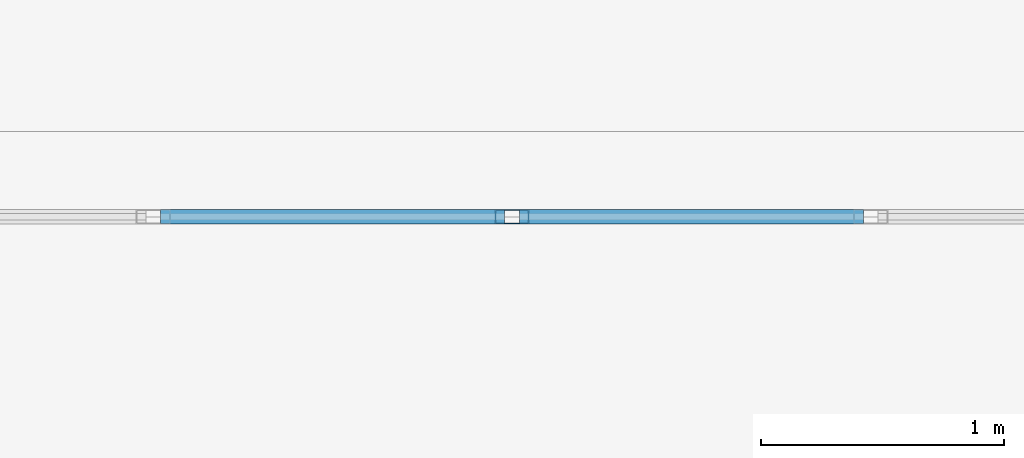
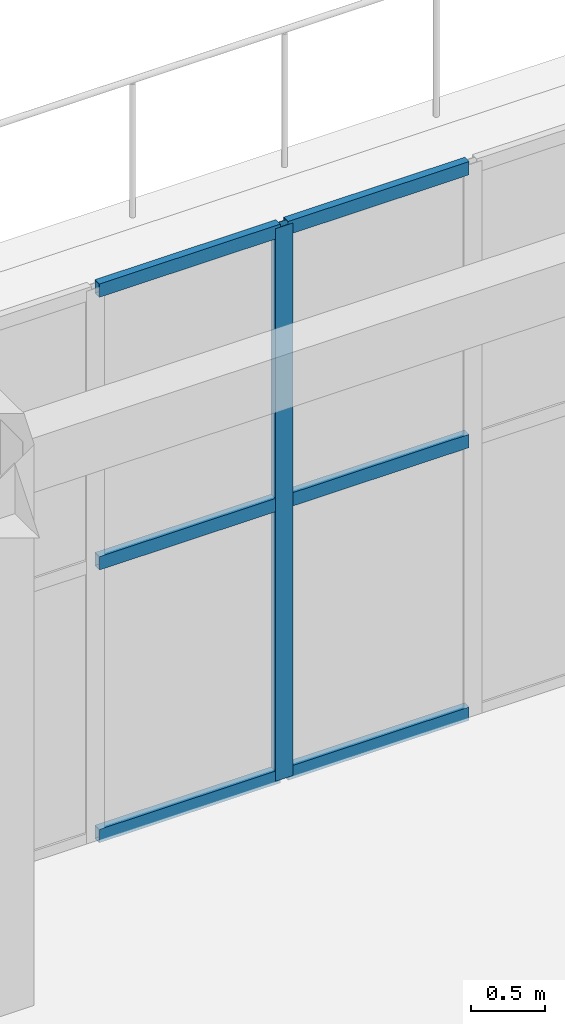
# One storey, part 83 of 158: 7 members, 1 element without a shape of its own.
"""IFC4 building model written with IfcOpenShell, lengths in metres."""

from ifc_helpers import new_model, si_unit, direction, frame, origin, origin_2d, place, context, subcontext, project, spatial, hollow_rectangle, extrude, material, layer, layer_set, material_profile, profile_set, type_object, element, aggregate, save


model = new_model("IFC4")

# Units and contexts
model_context = context("Model", 3, precision=1e-05, world=origin(), true_north=direction((0.0, 1.0)))
body_context = subcontext(model_context, "Body", "Model", "MODEL_VIEW")
ifc_project = project(units=[si_unit("LENGTHUNIT", "METRE"), si_unit("AREAUNIT", "SQUARE_METRE"), si_unit("VOLUMEUNIT", "CUBIC_METRE"), si_unit("PLANEANGLEUNIT", "RADIAN"), si_unit("MASSUNIT", "GRAM", prefix="KILO")], contexts=[model_context])

# Site, building, storey
site_placement = place(None, origin())
site = spatial("IfcSite", under=ifc_project, at=site_placement, CompositionType="ELEMENT")
building_placement = place(site_placement, origin())
building = spatial("IfcBuilding", under=site, at=building_placement, Name="Trelvath General Hospital", CompositionType="ELEMENT")
storey_placement = place(building_placement, frame((0.0, 0.0, 8.10009765625)))
storey = spatial("IfcBuildingStorey", under=building, at=storey_placement, Name="L02", CompositionType="ELEMENT", Elevation=8.10009765625)

# Curtain wall, members
ifc_material_1 = material(Name="Anodised aluminium and low-E glass", Category="aluminium")
ifc_layer = layer(ifc_material_1, 0.139892578125)
ifc_layer_set = layer_set([ifc_layer], Name="Anodised aluminium and low-E glass")
curtain_wall_type = type_object("IfcCurtainWallType", Name="CW CrystalCube 737 456 14", PredefinedType="USERDEFINED", material=ifc_layer_set)
curtain_wall_placement = place(storey_placement, origin())
curtain_wall = element("IfcCurtainWall", 1, at=curtain_wall_placement, inside=storey, type_object=curtain_wall_type, Name="Crystal Cube Curtain Wall CUBE-E-T1 N3 L02", ObjectType="Unitised Glazed Curtain Wall", PredefinedType="USERDEFINED")
ifc_material_2 = material(Name="Anodised aluminium", Category="aluminium")
ifc_material_profile_1 = material_profile(ifc_material_2, hollow_rectangle(XDim=0.06005859375, YDim=0.139892578125, WallThickness=0.00390625, at=origin_2d()), Name="RHS60x140x4")
ifc_profile_set_1 = profile_set([ifc_material_profile_1], Name="Anodised aluminium")
member_type_1 = type_object("IfcMemberType", Name="CurtainMullion 60x140", PredefinedType="MULLION", material=ifc_profile_set_1)
member_1_placement = place(storey_placement, frame((110.300048828125, 80.39990234375, 0.0), z_axis=(0.0, 0.0, 1.0), x_axis=(0.0, 1.0, 0.0)))
member_1 = element("IfcMember", 2, at=member_1_placement, type_object=member_type_1, Name="CW-210 mullion 3", PredefinedType="MULLION", context=body_context, shape_type="SweptSolid", body=[
    extrude(hollow_rectangle(XDim=0.06005859375, YDim=0.139892578125, WallThickness=0.00390625, at=origin_2d()), origin(), (0.0, 0.0, 1.0), 4.559814453125),
])
ifc_material_3 = material(Name="Anodised aluminium", Category="aluminium")
ifc_material_profile_2 = material_profile(ifc_material_3, hollow_rectangle(XDim=0.06005859375, YDim=0.110107421875, WallThickness=0.00390625, at=origin_2d()), Name="RHS60x110x4")
ifc_profile_set_2 = profile_set([ifc_material_profile_2], Name="Anodised aluminium")
member_type_2 = type_object("IfcMemberType", Name="CurtainTransom 60x110", PredefinedType="USERDEFINED", material=ifc_profile_set_2)
member_2_placement = place(storey_placement, frame((108.856689453125, 80.39990234375, 0.02978515625), z_axis=(1.0, 0.0, 0.0), x_axis=(0.0, 1.0, 0.0)))
member_2 = element("IfcMember", 3, at=member_2_placement, type_object=member_type_2, Name="CW-210 transom 2.1", ObjectType="TRANSOM", PredefinedType="USERDEFINED", context=body_context, shape_type="SweptSolid", body=[
    extrude(hollow_rectangle(XDim=0.06005859375, YDim=0.110107421875, WallThickness=0.00390625, at=origin_2d()), origin(), (0.0, 0.0, 1.0), 1.413330078125),
])
member_3_placement = place(storey_placement, frame((108.856689453125, 80.39990234375, 2.27978515625), z_axis=(1.0, 0.0, 0.0), x_axis=(0.0, 1.0, 0.0)))
member_3 = element("IfcMember", 4, at=member_3_placement, type_object=member_type_2, Name="CW-210 transom 2.2", ObjectType="TRANSOM", PredefinedType="USERDEFINED", context=body_context, shape_type="SweptSolid", body=[
    extrude(hollow_rectangle(XDim=0.06005859375, YDim=0.110107421875, WallThickness=0.00390625, at=origin_2d()), origin(), (0.0, 0.0, 1.0), 1.413330078125),
])
member_4_placement = place(storey_placement, frame((108.856689453125, 80.39990234375, 4.52978515625), z_axis=(1.0, 0.0, 0.0), x_axis=(0.0, 1.0, 0.0)))
member_4 = element("IfcMember", 5, at=member_4_placement, type_object=member_type_2, Name="CW-210 transom 2.3", ObjectType="TRANSOM", PredefinedType="USERDEFINED", context=body_context, shape_type="SweptSolid", body=[
    extrude(hollow_rectangle(XDim=0.06005859375, YDim=0.110107421875, WallThickness=0.00390625, at=origin_2d()), origin(), (0.0, 0.0, 1.0), 1.413330078125),
])
member_5_placement = place(storey_placement, frame((110.330078125, 80.39990234375, 0.02978515625), z_axis=(1.0, 0.0, 0.0), x_axis=(0.0, 1.0, 0.0)))
member_5 = element("IfcMember", 6, at=member_5_placement, type_object=member_type_2, Name="CW-210 transom 3.1", ObjectType="TRANSOM", PredefinedType="USERDEFINED", context=body_context, shape_type="SweptSolid", body=[
    extrude(hollow_rectangle(XDim=0.06005859375, YDim=0.110107421875, WallThickness=0.00390625, at=origin_2d()), origin(), (0.0, 0.0, 1.0), 1.413330078125),
])
member_6_placement = place(storey_placement, frame((110.330078125, 80.39990234375, 2.27978515625), z_axis=(1.0, 0.0, 0.0), x_axis=(0.0, 1.0, 0.0)))
member_6 = element("IfcMember", 7, at=member_6_placement, type_object=member_type_2, Name="CW-210 transom 3.2", ObjectType="TRANSOM", PredefinedType="USERDEFINED", context=body_context, shape_type="SweptSolid", body=[
    extrude(hollow_rectangle(XDim=0.06005859375, YDim=0.110107421875, WallThickness=0.00390625, at=origin_2d()), origin(), (0.0, 0.0, 1.0), 1.413330078125),
])
member_7_placement = place(storey_placement, frame((110.330078125, 80.39990234375, 4.52978515625), z_axis=(1.0, 0.0, 0.0), x_axis=(0.0, 1.0, 0.0)))
member_7 = element("IfcMember", 8, at=member_7_placement, type_object=member_type_2, Name="CW-210 transom 3.3", ObjectType="TRANSOM", PredefinedType="USERDEFINED", context=body_context, shape_type="SweptSolid", body=[
    extrude(hollow_rectangle(XDim=0.06005859375, YDim=0.110107421875, WallThickness=0.00390625, at=origin_2d()), origin(), (0.0, 0.0, 1.0), 1.413330078125),
])
aggregate(curtain_wall, [member_1, member_2, member_3, member_4, member_5, member_6, member_7])

save(model, "model.ifc")
